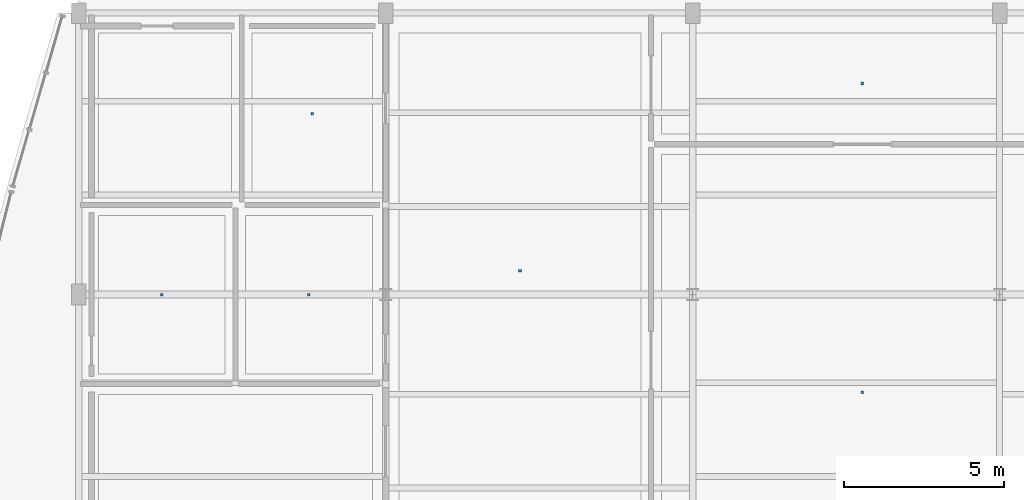
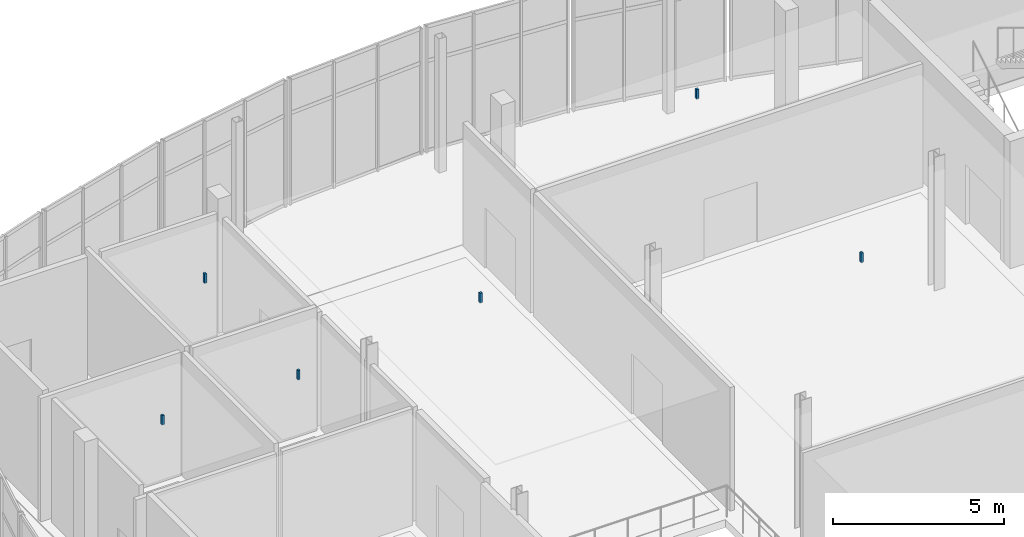
# One storey, part 143 of 157: 6 discrete accessories.
"""IFC4 building model written with IfcOpenShell, lengths in metres."""

import ifcopenshell
import ifcopenshell.guid

model = None  # the IFC model being written
_history = None  # IfcOwnerHistory: only IFC2X3 demands one
_inside = {}  # id of a spatial element -> (the spatial element, [elements in it])
_under = {}  # id of a project, library or spatial element -> (it, [spatial elements below it])
_declared = {}  # id of a project -> (the project, [libraries it declares])
_typed = {}  # id of a type object -> (the type object, [elements of that type])
_made_of = {}  # id of a material, layer set ... -> (it, [elements and type objects made of it])


def new_model(schema):
    """Start an empty IFC model of exactly this schema.

    Asked for "IFC4X3", IfcOpenShell would pick the latest addendum, in which some entities
    have other attributes; the version numbers below select the first issue.
    IFC2X3 requires an IfcOwnerHistory on every rooted entity: one is made here for all.
    """
    global model, _history
    if schema == "IFC4X3":
        model = ifcopenshell.file(schema_version=(4, 3, 0, 0))
    else:
        model = ifcopenshell.file(schema=schema)
    _inside.clear()
    _under.clear()
    _declared.clear()
    _typed.clear()
    _made_of.clear()
    _history = None
    if model.schema == "IFC2X3":
        org = make("IfcOrganization", Name="unknown")
        user = make(
            "IfcPersonAndOrganization",
            ThePerson=make("IfcPerson", FamilyName="unknown"),
            TheOrganization=org,
        )
        app = make(
            "IfcApplication",
            ApplicationDeveloper=org,
            Version="unknown",
            ApplicationFullName="unknown",
            ApplicationIdentifier="unknown",
        )
        _history = make(
            "IfcOwnerHistory",
            OwningUser=user,
            OwningApplication=app,
            ChangeAction="ADDED",
            CreationDate=0,
        )
    return model


def make(cls, **values):
    """One entity of the class cls with the attributes given. An attribute that is None is left unset."""
    return model.create_entity(
        cls, **{name: value for name, value in values.items() if value is not None}
    )


def rooted(cls, **values):
    """An entity with a GlobalId (a new one), such as an element, a storey or a relation."""
    return make(cls, GlobalId=ifcopenshell.guid.new(), OwnerHistory=_history, **values)


def si_unit(unit_type, name, prefix=None):
    """IfcSIUnit, for example si_unit("LENGTHUNIT", "METRE", prefix="MILLI")."""
    return make("IfcSIUnit", UnitType=unit_type, Prefix=prefix, Name=name)


def assignment(units):
    """IfcUnitAssignment: the units of a project."""
    return None if units is None else make("IfcUnitAssignment", Units=units)


def point(xyz):
    """IfcCartesianPoint."""
    return None if xyz is None else make("IfcCartesianPoint", Coordinates=xyz)


def direction(xyz):
    """IfcDirection."""
    return None if xyz is None else make("IfcDirection", DirectionRatios=xyz)


def frame(location, z_axis=None, x_axis=None):
    """IfcAxis2Placement3D, a coordinate frame: its origin and axes. An axis left out is left unset."""
    return make(
        "IfcAxis2Placement3D",
        Location=point(location),
        Axis=direction(z_axis),
        RefDirection=direction(x_axis),
    )


def frame_2d(location, x_axis=None):
    """IfcAxis2Placement2D, a coordinate frame in the plane: its origin and x axis."""
    return make(
        "IfcAxis2Placement2D", Location=point(location), RefDirection=direction(x_axis)
    )


def origin():
    """The frame at (0, 0, 0) with its axes left unset."""
    return frame((0.0, 0.0, 0.0))


def origin_2d():
    """The frame at (0, 0) in the plane with its x axis left unset."""
    return frame_2d((0.0, 0.0))


def place(relative_to, where):
    """IfcLocalPlacement: puts the frame where relative to a parent placement (None: the world)."""
    return make(
        "IfcLocalPlacement", PlacementRelTo=relative_to, RelativePlacement=where
    )


def context(
    kind, dimensions, precision=None, world=None, true_north=None, identifier=None
):
    """IfcGeometricRepresentationContext, for example the 3D "Model" context."""
    return make(
        "IfcGeometricRepresentationContext",
        ContextIdentifier=identifier,
        ContextType=kind,
        CoordinateSpaceDimension=dimensions,
        Precision=precision,
        WorldCoordinateSystem=world,
        TrueNorth=true_north,
    )


def subcontext(parent, identifier, kind, view, scale=None):
    """IfcGeometricRepresentationSubContext, for example "Body" below "Model"."""
    return make(
        "IfcGeometricRepresentationSubContext",
        ContextIdentifier=identifier,
        ContextType=kind,
        ParentContext=parent,
        TargetScale=scale,
        TargetView=view,
    )


def project(units=None, contexts=None):
    """IfcProject with its units and contexts."""
    return rooted(
        "IfcProject",
        Name="project",
        RepresentationContexts=contexts,
        UnitsInContext=assignment(units),
    )


def spatial(cls, under=None, at=None, **own):
    """A site, building, storey or space (cls), placed at a placement, below another one or the project."""
    s = rooted(cls, ObjectPlacement=at, **own)
    if under is not None:
        _under.setdefault(under.id(), (under, []))[1].append(s)
    return s


def profile(cls, at=None, kind="AREA", **sizes):
    """A parametric profile (cls). Its sizes go by their IFC names, for example OverallWidth=200.0."""
    return make(cls, ProfileType=kind, Position=at, **sizes)


def rectangle(**sizes):
    """IfcRectangleProfileDef."""
    return profile("IfcRectangleProfileDef", **sizes)


def extrude(swept, where, along, depth):
    """IfcExtrudedAreaSolid: the profile swept, set in the frame where, extruded along a direction by depth."""
    return make(
        "IfcExtrudedAreaSolid",
        SweptArea=swept,
        Position=where,
        ExtrudedDirection=direction(along),
        Depth=depth,
    )


def shape(context_of_items, identifier, shape_type, items):
    """IfcShapeRepresentation: the items that make up one representation, for example the "Body"."""
    return make(
        "IfcShapeRepresentation",
        ContextOfItems=context_of_items,
        RepresentationIdentifier=identifier,
        RepresentationType=shape_type,
        Items=items,
    )


def material(Name=None, Category=None):
    """IfcMaterial."""
    return make("IfcMaterial", Name=Name, Category=Category)


def made_of(thing, what):
    """Note that an element or type object is made of a material, layer set ...; save() writes the relation."""
    if what is not None:
        _made_of.setdefault(what.id(), (what, []))[1].append(thing)
    return thing


def type_object(cls, material=None, **own):
    """A type object (cls), such as IfcWallType, which elements share."""
    return made_of(rooted(cls, **own), material)


def element(
    cls,
    number,
    at=None,
    inside=None,
    cuts=None,
    type_object=None,
    material=None,
    context=None,
    identifier="Body",
    shape_type=None,
    held_by="IfcProductDefinitionShape",
    body=None,
    shapes=None,
    **own,
):
    """One element of the class cls, such as IfcWall. Its Tag is "e" and its number.

    at: its placement. inside: the storey or other place that contains it. cuts: it is an
    opening in that element (IfcRelVoidsElement). A single representation is given by context,
    identifier, shape_type and body (its items); several are given by shapes. held_by: the class
    of the entity that holds the representations. save() writes the other relations.
    """
    e = rooted(cls, Tag="e%d" % number, ObjectPlacement=at, **own)
    if body is not None:
        shapes = [shape(context, identifier, shape_type, body)]
    if shapes is not None:
        e.Representation = make(held_by, Representations=shapes)
    if inside is not None:
        _inside.setdefault(inside.id(), (inside, []))[1].append(e)
    if cuts is not None:
        rooted(
            "IfcRelVoidsElement", RelatingBuildingElement=cuts, RelatedOpeningElement=e
        )
    if type_object is not None:
        _typed.setdefault(type_object.id(), (type_object, []))[1].append(e)
    return made_of(e, material)


def aggregate(whole, parts):
    """IfcRelAggregates: a whole, such as a stair, and the parts it consists of."""
    return rooted("IfcRelAggregates", RelatingObject=whole, RelatedObjects=parts)


def save(model, path):
    """Write the relations noted so far, then the file.

    IfcRelAggregates (storeys below a building ...), IfcRelContainedInSpatialStructure (elements
    in a storey), IfcRelDefinesByType, IfcRelAssociatesMaterial and IfcRelDeclares: one each for
    every whole, place, type object, material and project.
    """
    for whole, parts in _under.values():
        aggregate(whole, parts)
    for where, things in _inside.values():
        rooted(
            "IfcRelContainedInSpatialStructure",
            RelatedElements=things,
            RelatingStructure=where,
        )
    for kind, things in _typed.values():
        rooted("IfcRelDefinesByType", RelatedObjects=things, RelatingType=kind)
    for what, things in _made_of.values():
        rooted("IfcRelAssociatesMaterial", RelatedObjects=things, RelatingMaterial=what)
    for by, libraries in _declared.values():
        rooted("IfcRelDeclares", RelatingContext=by, RelatedDefinitions=libraries)
    model.write(path)


model = new_model("IFC4")

# Units and contexts
model_context = context("Model", 3, precision=1e-05, world=origin(), true_north=direction((0.0, 1.0)))
body_context = subcontext(model_context, "Body", "Model", "MODEL_VIEW")
ifc_project = project(units=[si_unit("LENGTHUNIT", "METRE"), si_unit("AREAUNIT", "SQUARE_METRE"), si_unit("VOLUMEUNIT", "CUBIC_METRE"), si_unit("PLANEANGLEUNIT", "RADIAN"), si_unit("MASSUNIT", "GRAM", prefix="KILO")], contexts=[model_context])

# Site, building, storey
site_placement = place(None, origin())
site = spatial("IfcSite", under=ifc_project, at=site_placement, CompositionType="ELEMENT")
building_placement = place(site_placement, origin())
building = spatial("IfcBuilding", under=site, at=building_placement, Name="Chalmorin Arch Market", CompositionType="ELEMENT")
storey_placement = place(building_placement, frame((0.0, 0.0, 4.800048828125)))
storey = spatial("IfcBuildingStorey", under=building, at=storey_placement, Name="L01", CompositionType="ELEMENT", Elevation=4.800048828125)

# Discrete accessories
ifc_material = material(Name="Galvanized Cold-Formed Steel", Category="steel")
discrete_accessory_type = type_object("IfcDiscreteAccessoryType", Name="CeilingSuspensionBracket-80x80", PredefinedType="BRACKET", material=ifc_material)
for number, where, z_axis, x_axis, name in (
    (1, (24.5, 38.14990234375, 4.2529296875), (0.0, 0.0, 1.0), (1.0, 0.0, 0.0), "CSB-157"),
    (2, (24.5, 47.800048828125, 4.2529296875), (0.0, 0.0, 1.0), (1.0, 0.0, 0.0), "CSB-159"),
    (3, (13.800048828125, 41.949951171875, 4.2529296875), (0.0, 0.0, 1.0), (1.0, 0.0, 0.0), "CSB-163"),
):
    element("IfcDiscreteAccessory", number, at=place(storey_placement, frame(where, z_axis=z_axis, x_axis=x_axis)), inside=storey, type_object=discrete_accessory_type, Name=name, PredefinedType="BRACKET", context=body_context, shape_type="SweptSolid", body=[
        extrude(rectangle(XDim=0.080078125, YDim=0.080078125, at=origin_2d()), origin(), (0.0, 0.0, 1.0), 0.346923828125),
    ])
for number, where, z_axis, x_axis, name in (
    (4, (2.60009765625, 41.199951171875, 4.261962890625), (0.0, 0.0, 1.0), (1.0, 0.0, 0.0), "CSB-165"),
    (5, (7.199951171875, 41.199951171875, 4.261962890625), (0.0, 0.0, 1.0), (1.0, 0.0, 0.0), "CSB-167"),
    (6, (7.300048828125, 46.85009765625, 4.261962890625), (0.0, 0.0, 1.0), (1.0, 0.0, 0.0), "CSB-169"),
):
    element("IfcDiscreteAccessory", number, at=place(storey_placement, frame(where, z_axis=z_axis, x_axis=x_axis)), inside=storey, type_object=discrete_accessory_type, Name=name, PredefinedType="BRACKET", context=body_context, shape_type="SweptSolid", body=[
        extrude(rectangle(XDim=0.080078125, YDim=0.080078125, at=origin_2d()), origin(), (0.0, 0.0, 1.0), 0.337890625),
    ])

save(model, "model.ifc")
